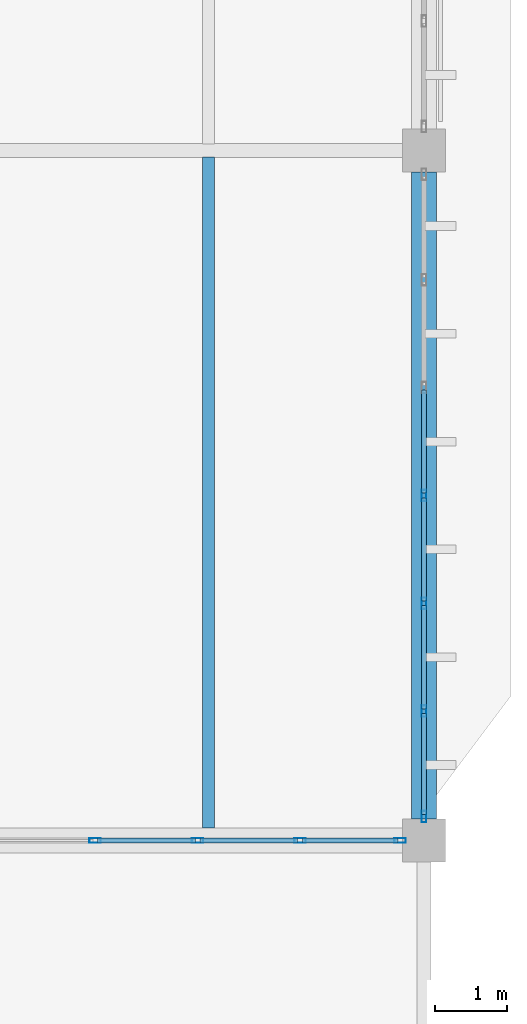
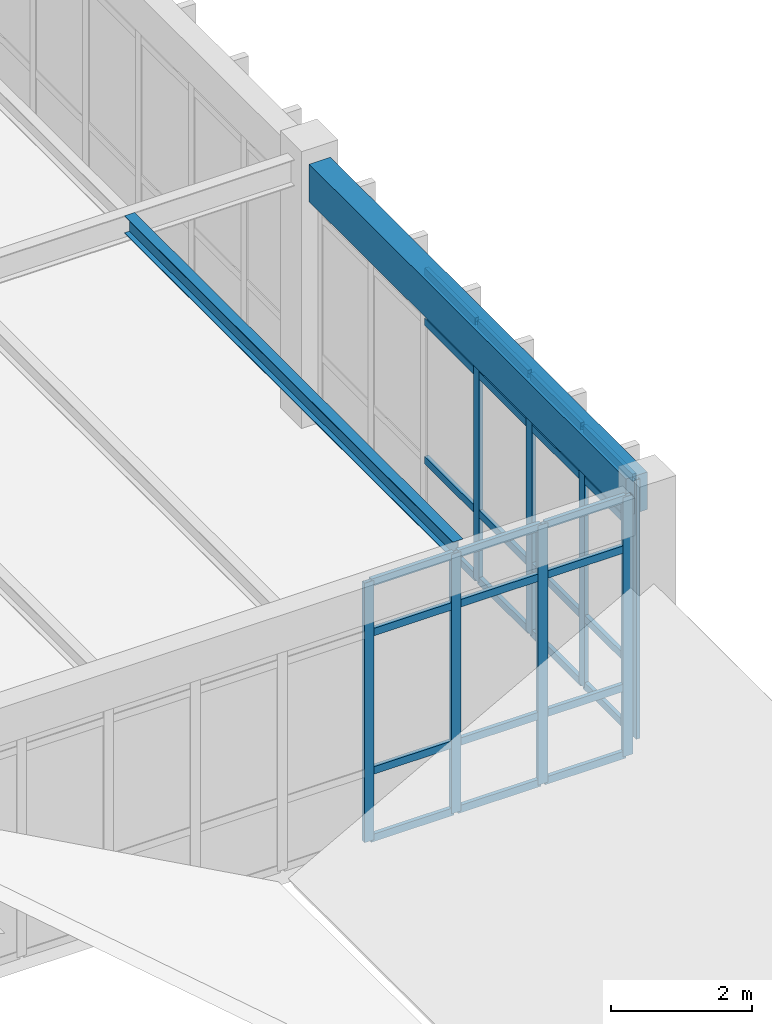
# One storey, part 124 of 236: 36 members, 2 beams, 2 elements without a shape of their own.
"""IFC4 building model written with IfcOpenShell, lengths in metres."""

from ifc_helpers import new_model, si_unit, direction, frame, origin, origin_2d, place, context, subcontext, project, spatial, rectangle, hollow_rectangle, i_section, extrude, material, layer, layer_set, material_profile, profile_set, type_object, element, aggregate, save


model = new_model("IFC4")

# Units and contexts
model_context = context("Model", 3, precision=1e-05, world=origin(), true_north=direction((0.0, 1.0)))
body_context = subcontext(model_context, "Body", "Model", "MODEL_VIEW")
ifc_project = project(units=[si_unit("LENGTHUNIT", "METRE"), si_unit("AREAUNIT", "SQUARE_METRE"), si_unit("VOLUMEUNIT", "CUBIC_METRE"), si_unit("PLANEANGLEUNIT", "RADIAN"), si_unit("MASSUNIT", "GRAM", prefix="KILO")], contexts=[model_context])

# Site, building, storey
site_placement = place(None, origin())
site = spatial("IfcSite", under=ifc_project, at=site_placement, CompositionType="ELEMENT")
building_placement = place(site_placement, origin())
building = spatial("IfcBuilding", under=site, at=building_placement, Name="Pandanus Reach Market Hall", CompositionType="ELEMENT")
storey_placement = place(building_placement, frame((0.0, 0.0, 5.39990234375)))
storey = spatial("IfcBuildingStorey", under=building, at=storey_placement, Name="L01", CompositionType="ELEMENT", Elevation=5.39990234375)

# Beam
ifc_material_1 = material(Name="Concrete N40 (40 MPa)", Category="concrete")
ifc_material_profile_1 = material_profile(ifc_material_1, rectangle(XDim=0.35009765625, YDim=0.64990234375, at=origin_2d()), Name="RC350x650", Category="LoadBearing")
ifc_profile_set_1 = profile_set([ifc_material_profile_1], Name="Concrete N40 (40 MPa)")
beam_type_1 = type_object("IfcBeamType", Name="BM-RC350-E", PredefinedType="SPANDREL", material=ifc_profile_set_1)
beam_1_placement = place(storey_placement, frame((180.0, 9.89794921875, 4.215087890625), z_axis=(0.0, 1.0, 0.0), x_axis=(-1.0, 0.0, 0.0)))
element("IfcBeam", 1, at=beam_1_placement, inside=storey, type_object=beam_type_1, Name="Framing beam BM-RC350-E L01.363", PredefinedType="SPANDREL", context=body_context, shape_type="SweptSolid", body=[
    extrude(rectangle(XDim=0.35009765625, YDim=0.64990234375, at=origin_2d()), origin(), (0.0, 0.0, 1.0), 9.004150390625),
])

# Curtain wall, members
ifc_material_2 = material(Name="Bronze anodised aluminium and low-E glass", Category="aluminium")
ifc_layer_1 = layer(ifc_material_2, 0.159912109375, Name="CW-27")
ifc_layer_set_1 = layer_set([ifc_layer_1], Name="Bronze anodised aluminium and low-E glass")
curtain_wall_type_1 = type_object("IfcCurtainWallType", Name="CW-27", PredefinedType="NOTDEFINED", material=ifc_layer_set_1)
curtain_wall_1_placement = place(storey_placement, origin())
curtain_wall_1 = element("IfcCurtainWall", 2, at=curtain_wall_1_placement, inside=storey, type_object=curtain_wall_type_1, Name="Glazed curtain wall CW-27 CW-0084", PredefinedType="NOTDEFINED")
ifc_material_3 = material(Name="Bronze anodised aluminium", Category="aluminium")
ifc_material_profile_2 = material_profile(ifc_material_3, hollow_rectangle(XDim=0.06494140625, YDim=0.159912109375, WallThickness=0.00390625, at=origin_2d()), Name="ALU65x160", Category="LoadBearing")
ifc_profile_set_2 = profile_set([ifc_material_profile_2], Name="Bronze anodised aluminium")
member_type_1 = type_object("IfcMemberType", Name="CW-M1", PredefinedType="MULLION", material=ifc_profile_set_2)
member_1_placement = place(storey_placement, frame((175.425048828125, 9.60009765625, 0.0), z_axis=(0.0, 0.0, 1.0), x_axis=(0.0, 1.0, 0.0)))
member_1 = element("IfcMember", 3, at=member_1_placement, type_object=member_type_1, Name="CW-27 mullion 6", PredefinedType="MULLION", context=body_context, shape_type="SweptSolid", body=[
    extrude(hollow_rectangle(XDim=0.06494140625, YDim=0.159912109375, WallThickness=0.00390625, at=origin_2d()), origin(), (0.0, 0.0, 1.0), 4.5),
])
member_2_placement = place(storey_placement, frame((176.85009765625, 9.60009765625, 0.0), z_axis=(0.0, 0.0, 1.0), x_axis=(0.0, 1.0, 0.0)))
member_2 = element("IfcMember", 4, at=member_2_placement, type_object=member_type_1, Name="CW-27 mullion 7", PredefinedType="MULLION", context=body_context, shape_type="SweptSolid", body=[
    extrude(hollow_rectangle(XDim=0.06494140625, YDim=0.159912109375, WallThickness=0.00390625, at=origin_2d()), origin(), (0.0, 0.0, 1.0), 4.5),
])
member_3_placement = place(storey_placement, frame((178.27490234375, 9.60009765625, 0.0), z_axis=(0.0, 0.0, 1.0), x_axis=(0.0, 1.0, 0.0)))
member_3 = element("IfcMember", 5, at=member_3_placement, type_object=member_type_1, Name="CW-27 mullion 8", PredefinedType="MULLION", context=body_context, shape_type="SweptSolid", body=[
    extrude(hollow_rectangle(XDim=0.06494140625, YDim=0.159912109375, WallThickness=0.00390625, at=origin_2d()), origin(), (0.0, 0.0, 1.0), 4.5),
])
member_4_placement = place(storey_placement, frame((179.66748046875, 9.60009765625, 0.0), z_axis=(0.0, 0.0, 1.0), x_axis=(0.0, 1.0, 0.0)))
member_4 = element("IfcMember", 6, at=member_4_placement, type_object=member_type_1, Name="CW-27 mullion 9", PredefinedType="MULLION", context=body_context, shape_type="SweptSolid", body=[
    extrude(hollow_rectangle(XDim=0.06494140625, YDim=0.159912109375, WallThickness=0.00390625, at=origin_2d()), origin(), (0.0, 0.0, 1.0), 4.5),
])

ifc_layer_2 = layer(ifc_material_2, 0.159912109375, Name="CW-28")
ifc_layer_set_2 = layer_set([ifc_layer_2], Name="Bronze anodised aluminium and low-E glass")
curtain_wall_type_2 = type_object("IfcCurtainWallType", Name="CW-28", PredefinedType="NOTDEFINED", material=ifc_layer_set_2)
curtain_wall_2_placement = place(storey_placement, origin())
curtain_wall_2 = element("IfcCurtainWall", 7, at=curtain_wall_2_placement, inside=storey, type_object=curtain_wall_type_2, Name="Glazed curtain wall CW-28 CW-0085", PredefinedType="NOTDEFINED")
member_5_placement = place(storey_placement, frame((180.0, 9.9326171875, 0.0), z_axis=(0.0, 0.0, 1.0), x_axis=(-1.0, 0.0, 0.0)))
member_5 = element("IfcMember", 8, at=member_5_placement, type_object=member_type_1, Name="CW-28 mullion 1", PredefinedType="MULLION", context=body_context, shape_type="SweptSolid", body=[
    extrude(hollow_rectangle(XDim=0.06494140625, YDim=0.159912109375, WallThickness=0.00390625, at=origin_2d()), origin(), (0.0, 0.0, 1.0), 4.5),
])
member_6_placement = place(storey_placement, frame((180.0, 11.39990234375, 0.0), z_axis=(0.0, 0.0, 1.0), x_axis=(-1.0, 0.0, 0.0)))
member_6 = element("IfcMember", 9, at=member_6_placement, type_object=member_type_1, Name="CW-28 mullion 2", PredefinedType="MULLION", context=body_context, shape_type="SweptSolid", body=[
    extrude(hollow_rectangle(XDim=0.06494140625, YDim=0.159912109375, WallThickness=0.00390625, at=origin_2d()), origin(), (0.0, 0.0, 1.0), 4.5),
])
member_7_placement = place(storey_placement, frame((180.0, 12.89990234375, 0.0), z_axis=(0.0, 0.0, 1.0), x_axis=(-1.0, 0.0, 0.0)))
member_7 = element("IfcMember", 10, at=member_7_placement, type_object=member_type_1, Name="CW-28 mullion 3", PredefinedType="MULLION", context=body_context, shape_type="SweptSolid", body=[
    extrude(hollow_rectangle(XDim=0.06494140625, YDim=0.159912109375, WallThickness=0.00390625, at=origin_2d()), origin(), (0.0, 0.0, 1.0), 4.5),
])
member_8_placement = place(storey_placement, frame((180.0, 14.39990234375, 0.0), z_axis=(0.0, 0.0, 1.0), x_axis=(-1.0, 0.0, 0.0)))
member_8 = element("IfcMember", 11, at=member_8_placement, type_object=member_type_1, Name="CW-28 mullion 4", PredefinedType="MULLION", context=body_context, shape_type="SweptSolid", body=[
    extrude(hollow_rectangle(XDim=0.06494140625, YDim=0.159912109375, WallThickness=0.00390625, at=origin_2d()), origin(), (0.0, 0.0, 1.0), 4.5),
])

# Member
ifc_material_profile_3 = material_profile(ifc_material_3, hollow_rectangle(XDim=0.06494140625, YDim=0.1298828125, WallThickness=0.00390625, at=origin_2d()), Name="ALU65x130", Category="LoadBearing")
ifc_profile_set_3 = profile_set([ifc_material_profile_3], Name="Bronze anodised aluminium")
member_type_2 = type_object("IfcMemberType", Name="CW-T1", PredefinedType="USERDEFINED", material=ifc_profile_set_3)
member_9_placement = place(storey_placement, frame((175.45751953125, 9.60009765625, 0.03271484375), z_axis=(1.0, 0.0, 0.0), x_axis=(0.0, 1.0, 0.0)))
member_9 = element("IfcMember", 12, at=member_9_placement, type_object=member_type_2, Name="CW-27 transom 6.1", ObjectType="TRANSOM", PredefinedType="USERDEFINED", context=body_context, shape_type="SweptSolid", body=[
    extrude(hollow_rectangle(XDim=0.06494140625, YDim=0.1298828125, WallThickness=0.00390625, at=origin_2d()), origin(), (0.0, 0.0, 1.0), 1.35986328125),
])

member_10_placement = place(storey_placement, frame((175.45751953125, 9.60009765625, 1.2001953125), z_axis=(1.0, 0.0, 0.0), x_axis=(0.0, 1.0, 0.0)))
member_10 = element("IfcMember", 13, at=member_10_placement, type_object=member_type_2, Name="CW-27 transom 6.2", ObjectType="TRANSOM", PredefinedType="USERDEFINED", context=body_context, shape_type="SweptSolid", body=[
    extrude(hollow_rectangle(XDim=0.06494140625, YDim=0.1298828125, WallThickness=0.00390625, at=origin_2d()), origin(), (0.0, 0.0, 1.0), 1.35986328125),
])

member_11_placement = place(storey_placement, frame((175.45751953125, 9.60009765625, 3.60009765625), z_axis=(1.0, 0.0, 0.0), x_axis=(0.0, 1.0, 0.0)))
member_11 = element("IfcMember", 14, at=member_11_placement, type_object=member_type_2, Name="CW-27 transom 6.3", ObjectType="TRANSOM", PredefinedType="USERDEFINED", context=body_context, shape_type="SweptSolid", body=[
    extrude(hollow_rectangle(XDim=0.06494140625, YDim=0.1298828125, WallThickness=0.00390625, at=origin_2d()), origin(), (0.0, 0.0, 1.0), 1.35986328125),
])

member_12_placement = place(storey_placement, frame((175.45751953125, 9.60009765625, 4.467529296875), z_axis=(1.0, 0.0, 0.0), x_axis=(0.0, 1.0, 0.0)))
member_12 = element("IfcMember", 15, at=member_12_placement, type_object=member_type_2, Name="CW-27 transom 6.4", ObjectType="TRANSOM", PredefinedType="USERDEFINED", context=body_context, shape_type="SweptSolid", body=[
    extrude(hollow_rectangle(XDim=0.06494140625, YDim=0.1298828125, WallThickness=0.00390625, at=origin_2d()), origin(), (0.0, 0.0, 1.0), 1.35986328125),
])

member_13_placement = place(storey_placement, frame((176.882568359375, 9.60009765625, 0.03271484375), z_axis=(1.0, 0.0, 0.0), x_axis=(0.0, 1.0, 0.0)))
member_13 = element("IfcMember", 16, at=member_13_placement, type_object=member_type_2, Name="CW-27 transom 7.1", ObjectType="TRANSOM", PredefinedType="USERDEFINED", context=body_context, shape_type="SweptSolid", body=[
    extrude(hollow_rectangle(XDim=0.06494140625, YDim=0.1298828125, WallThickness=0.00390625, at=origin_2d()), origin(), (0.0, 0.0, 1.0), 1.35986328125),
])

member_14_placement = place(storey_placement, frame((176.882568359375, 9.60009765625, 1.2001953125), z_axis=(1.0, 0.0, 0.0), x_axis=(0.0, 1.0, 0.0)))
member_14 = element("IfcMember", 17, at=member_14_placement, type_object=member_type_2, Name="CW-27 transom 7.2", ObjectType="TRANSOM", PredefinedType="USERDEFINED", context=body_context, shape_type="SweptSolid", body=[
    extrude(hollow_rectangle(XDim=0.06494140625, YDim=0.1298828125, WallThickness=0.00390625, at=origin_2d()), origin(), (0.0, 0.0, 1.0), 1.35986328125),
])

member_15_placement = place(storey_placement, frame((176.882568359375, 9.60009765625, 3.60009765625), z_axis=(1.0, 0.0, 0.0), x_axis=(0.0, 1.0, 0.0)))
member_15 = element("IfcMember", 18, at=member_15_placement, type_object=member_type_2, Name="CW-27 transom 7.3", ObjectType="TRANSOM", PredefinedType="USERDEFINED", context=body_context, shape_type="SweptSolid", body=[
    extrude(hollow_rectangle(XDim=0.06494140625, YDim=0.1298828125, WallThickness=0.00390625, at=origin_2d()), origin(), (0.0, 0.0, 1.0), 1.35986328125),
])

member_16_placement = place(storey_placement, frame((176.882568359375, 9.60009765625, 4.467529296875), z_axis=(1.0, 0.0, 0.0), x_axis=(0.0, 1.0, 0.0)))
member_16 = element("IfcMember", 19, at=member_16_placement, type_object=member_type_2, Name="CW-27 transom 7.4", ObjectType="TRANSOM", PredefinedType="USERDEFINED", context=body_context, shape_type="SweptSolid", body=[
    extrude(hollow_rectangle(XDim=0.06494140625, YDim=0.1298828125, WallThickness=0.00390625, at=origin_2d()), origin(), (0.0, 0.0, 1.0), 1.35986328125),
])

member_17_placement = place(storey_placement, frame((178.3076171875, 9.60009765625, 0.03271484375), z_axis=(1.0, 0.0, 0.0), x_axis=(0.0, 1.0, 0.0)))
member_17 = element("IfcMember", 20, at=member_17_placement, type_object=member_type_2, Name="CW-27 transom 8.1", ObjectType="TRANSOM", PredefinedType="USERDEFINED", context=body_context, shape_type="SweptSolid", body=[
    extrude(hollow_rectangle(XDim=0.06494140625, YDim=0.1298828125, WallThickness=0.00390625, at=origin_2d()), origin(), (0.0, 0.0, 1.0), 1.327392578125),
])

member_18_placement = place(storey_placement, frame((178.3076171875, 9.60009765625, 1.2001953125), z_axis=(1.0, 0.0, 0.0), x_axis=(0.0, 1.0, 0.0)))
member_18 = element("IfcMember", 21, at=member_18_placement, type_object=member_type_2, Name="CW-27 transom 8.2", ObjectType="TRANSOM", PredefinedType="USERDEFINED", context=body_context, shape_type="SweptSolid", body=[
    extrude(hollow_rectangle(XDim=0.06494140625, YDim=0.1298828125, WallThickness=0.00390625, at=origin_2d()), origin(), (0.0, 0.0, 1.0), 1.327392578125),
])

member_19_placement = place(storey_placement, frame((178.3076171875, 9.60009765625, 3.60009765625), z_axis=(1.0, 0.0, 0.0), x_axis=(0.0, 1.0, 0.0)))
member_19 = element("IfcMember", 22, at=member_19_placement, type_object=member_type_2, Name="CW-27 transom 8.3", ObjectType="TRANSOM", PredefinedType="USERDEFINED", context=body_context, shape_type="SweptSolid", body=[
    extrude(hollow_rectangle(XDim=0.06494140625, YDim=0.1298828125, WallThickness=0.00390625, at=origin_2d()), origin(), (0.0, 0.0, 1.0), 1.327392578125),
])

member_20_placement = place(storey_placement, frame((178.3076171875, 9.60009765625, 4.467529296875), z_axis=(1.0, 0.0, 0.0), x_axis=(0.0, 1.0, 0.0)))
member_20 = element("IfcMember", 23, at=member_20_placement, type_object=member_type_2, Name="CW-27 transom 8.4", ObjectType="TRANSOM", PredefinedType="USERDEFINED", context=body_context, shape_type="SweptSolid", body=[
    extrude(hollow_rectangle(XDim=0.06494140625, YDim=0.1298828125, WallThickness=0.00390625, at=origin_2d()), origin(), (0.0, 0.0, 1.0), 1.327392578125),
])

aggregate(curtain_wall_1, [member_1, member_2, member_3, member_4, member_9, member_10, member_11, member_12, member_13, member_14, member_15, member_16, member_17, member_18, member_19, member_20])

member_21_placement = place(storey_placement, frame((180.0, 9.965087890625, 0.03271484375), z_axis=(0.0, 1.0, 0.0), x_axis=(-1.0, 0.0, 0.0)))
member_21 = element("IfcMember", 24, at=member_21_placement, type_object=member_type_2, Name="CW-28 transom 1.1", ObjectType="TRANSOM", PredefinedType="USERDEFINED", context=body_context, shape_type="SweptSolid", body=[
    extrude(hollow_rectangle(XDim=0.06494140625, YDim=0.1298828125, WallThickness=0.00390625, at=origin_2d()), origin(), (0.0, 0.0, 1.0), 1.40234375),
])

member_22_placement = place(storey_placement, frame((180.0, 9.965087890625, 1.2001953125), z_axis=(0.0, 1.0, 0.0), x_axis=(-1.0, 0.0, 0.0)))
member_22 = element("IfcMember", 25, at=member_22_placement, type_object=member_type_2, Name="CW-28 transom 1.2", ObjectType="TRANSOM", PredefinedType="USERDEFINED", context=body_context, shape_type="SweptSolid", body=[
    extrude(hollow_rectangle(XDim=0.06494140625, YDim=0.1298828125, WallThickness=0.00390625, at=origin_2d()), origin(), (0.0, 0.0, 1.0), 1.40234375),
])

member_23_placement = place(storey_placement, frame((180.0, 9.965087890625, 3.60009765625), z_axis=(0.0, 1.0, 0.0), x_axis=(-1.0, 0.0, 0.0)))
member_23 = element("IfcMember", 26, at=member_23_placement, type_object=member_type_2, Name="CW-28 transom 1.3", ObjectType="TRANSOM", PredefinedType="USERDEFINED", context=body_context, shape_type="SweptSolid", body=[
    extrude(hollow_rectangle(XDim=0.06494140625, YDim=0.1298828125, WallThickness=0.00390625, at=origin_2d()), origin(), (0.0, 0.0, 1.0), 1.40234375),
])

member_24_placement = place(storey_placement, frame((180.0, 9.965087890625, 4.467529296875), z_axis=(0.0, 1.0, 0.0), x_axis=(-1.0, 0.0, 0.0)))
member_24 = element("IfcMember", 27, at=member_24_placement, type_object=member_type_2, Name="CW-28 transom 1.4", ObjectType="TRANSOM", PredefinedType="USERDEFINED", context=body_context, shape_type="SweptSolid", body=[
    extrude(hollow_rectangle(XDim=0.06494140625, YDim=0.1298828125, WallThickness=0.00390625, at=origin_2d()), origin(), (0.0, 0.0, 1.0), 1.40234375),
])

member_25_placement = place(storey_placement, frame((180.0, 11.4326171875, 0.03271484375), z_axis=(0.0, 1.0, 0.0), x_axis=(-1.0, 0.0, 0.0)))
member_25 = element("IfcMember", 28, at=member_25_placement, type_object=member_type_2, Name="CW-28 transom 2.1", ObjectType="TRANSOM", PredefinedType="USERDEFINED", context=body_context, shape_type="SweptSolid", body=[
    extrude(hollow_rectangle(XDim=0.06494140625, YDim=0.1298828125, WallThickness=0.00390625, at=origin_2d()), origin(), (0.0, 0.0, 1.0), 1.434814453125),
])

member_26_placement = place(storey_placement, frame((180.0, 11.4326171875, 1.2001953125), z_axis=(0.0, 1.0, 0.0), x_axis=(-1.0, 0.0, 0.0)))
member_26 = element("IfcMember", 29, at=member_26_placement, type_object=member_type_2, Name="CW-28 transom 2.2", ObjectType="TRANSOM", PredefinedType="USERDEFINED", context=body_context, shape_type="SweptSolid", body=[
    extrude(hollow_rectangle(XDim=0.06494140625, YDim=0.1298828125, WallThickness=0.00390625, at=origin_2d()), origin(), (0.0, 0.0, 1.0), 1.434814453125),
])

member_27_placement = place(storey_placement, frame((180.0, 11.4326171875, 3.60009765625), z_axis=(0.0, 1.0, 0.0), x_axis=(-1.0, 0.0, 0.0)))
member_27 = element("IfcMember", 30, at=member_27_placement, type_object=member_type_2, Name="CW-28 transom 2.3", ObjectType="TRANSOM", PredefinedType="USERDEFINED", context=body_context, shape_type="SweptSolid", body=[
    extrude(hollow_rectangle(XDim=0.06494140625, YDim=0.1298828125, WallThickness=0.00390625, at=origin_2d()), origin(), (0.0, 0.0, 1.0), 1.434814453125),
])

member_28_placement = place(storey_placement, frame((180.0, 11.4326171875, 4.467529296875), z_axis=(0.0, 1.0, 0.0), x_axis=(-1.0, 0.0, 0.0)))
member_28 = element("IfcMember", 31, at=member_28_placement, type_object=member_type_2, Name="CW-28 transom 2.4", ObjectType="TRANSOM", PredefinedType="USERDEFINED", context=body_context, shape_type="SweptSolid", body=[
    extrude(hollow_rectangle(XDim=0.06494140625, YDim=0.1298828125, WallThickness=0.00390625, at=origin_2d()), origin(), (0.0, 0.0, 1.0), 1.434814453125),
])

member_29_placement = place(storey_placement, frame((180.0, 12.9326171875, 0.03271484375), z_axis=(0.0, 1.0, 0.0), x_axis=(-1.0, 0.0, 0.0)))
member_29 = element("IfcMember", 32, at=member_29_placement, type_object=member_type_2, Name="CW-28 transom 3.1", ObjectType="TRANSOM", PredefinedType="USERDEFINED", context=body_context, shape_type="SweptSolid", body=[
    extrude(hollow_rectangle(XDim=0.06494140625, YDim=0.1298828125, WallThickness=0.00390625, at=origin_2d()), origin(), (0.0, 0.0, 1.0), 1.434814453125),
])

member_30_placement = place(storey_placement, frame((180.0, 12.9326171875, 1.2001953125), z_axis=(0.0, 1.0, 0.0), x_axis=(-1.0, 0.0, 0.0)))
member_30 = element("IfcMember", 33, at=member_30_placement, type_object=member_type_2, Name="CW-28 transom 3.2", ObjectType="TRANSOM", PredefinedType="USERDEFINED", context=body_context, shape_type="SweptSolid", body=[
    extrude(hollow_rectangle(XDim=0.06494140625, YDim=0.1298828125, WallThickness=0.00390625, at=origin_2d()), origin(), (0.0, 0.0, 1.0), 1.434814453125),
])

member_31_placement = place(storey_placement, frame((180.0, 12.9326171875, 3.60009765625), z_axis=(0.0, 1.0, 0.0), x_axis=(-1.0, 0.0, 0.0)))
member_31 = element("IfcMember", 34, at=member_31_placement, type_object=member_type_2, Name="CW-28 transom 3.3", ObjectType="TRANSOM", PredefinedType="USERDEFINED", context=body_context, shape_type="SweptSolid", body=[
    extrude(hollow_rectangle(XDim=0.06494140625, YDim=0.1298828125, WallThickness=0.00390625, at=origin_2d()), origin(), (0.0, 0.0, 1.0), 1.434814453125),
])

member_32_placement = place(storey_placement, frame((180.0, 12.9326171875, 4.467529296875), z_axis=(0.0, 1.0, 0.0), x_axis=(-1.0, 0.0, 0.0)))
member_32 = element("IfcMember", 35, at=member_32_placement, type_object=member_type_2, Name="CW-28 transom 3.4", ObjectType="TRANSOM", PredefinedType="USERDEFINED", context=body_context, shape_type="SweptSolid", body=[
    extrude(hollow_rectangle(XDim=0.06494140625, YDim=0.1298828125, WallThickness=0.00390625, at=origin_2d()), origin(), (0.0, 0.0, 1.0), 1.434814453125),
])

member_33_placement = place(storey_placement, frame((180.0, 14.4326171875, 0.03271484375), z_axis=(0.0, 1.0, 0.0), x_axis=(-1.0, 0.0, 0.0)))
member_33 = element("IfcMember", 36, at=member_33_placement, type_object=member_type_2, Name="CW-28 transom 4.1", ObjectType="TRANSOM", PredefinedType="USERDEFINED", context=body_context, shape_type="SweptSolid", body=[
    extrude(hollow_rectangle(XDim=0.06494140625, YDim=0.1298828125, WallThickness=0.00390625, at=origin_2d()), origin(), (0.0, 0.0, 1.0), 1.434814453125),
])

member_34_placement = place(storey_placement, frame((180.0, 14.4326171875, 1.2001953125), z_axis=(0.0, 1.0, 0.0), x_axis=(-1.0, 0.0, 0.0)))
member_34 = element("IfcMember", 37, at=member_34_placement, type_object=member_type_2, Name="CW-28 transom 4.2", ObjectType="TRANSOM", PredefinedType="USERDEFINED", context=body_context, shape_type="SweptSolid", body=[
    extrude(hollow_rectangle(XDim=0.06494140625, YDim=0.1298828125, WallThickness=0.00390625, at=origin_2d()), origin(), (0.0, 0.0, 1.0), 1.434814453125),
])

member_35_placement = place(storey_placement, frame((180.0, 14.4326171875, 3.60009765625), z_axis=(0.0, 1.0, 0.0), x_axis=(-1.0, 0.0, 0.0)))
member_35 = element("IfcMember", 38, at=member_35_placement, type_object=member_type_2, Name="CW-28 transom 4.3", ObjectType="TRANSOM", PredefinedType="USERDEFINED", context=body_context, shape_type="SweptSolid", body=[
    extrude(hollow_rectangle(XDim=0.06494140625, YDim=0.1298828125, WallThickness=0.00390625, at=origin_2d()), origin(), (0.0, 0.0, 1.0), 1.434814453125),
])

member_36_placement = place(storey_placement, frame((180.0, 14.4326171875, 4.467529296875), z_axis=(0.0, 1.0, 0.0), x_axis=(-1.0, 0.0, 0.0)))
member_36 = element("IfcMember", 39, at=member_36_placement, type_object=member_type_2, Name="CW-28 transom 4.4", ObjectType="TRANSOM", PredefinedType="USERDEFINED", context=body_context, shape_type="SweptSolid", body=[
    extrude(hollow_rectangle(XDim=0.06494140625, YDim=0.1298828125, WallThickness=0.00390625, at=origin_2d()), origin(), (0.0, 0.0, 1.0), 1.434814453125),
])

aggregate(curtain_wall_2, [member_5, member_6, member_7, member_8, member_21, member_22, member_23, member_24, member_25, member_26, member_27, member_28, member_29, member_30, member_31, member_32, member_33, member_34, member_35, member_36])

# Beam
ifc_material_4 = material(Name="Steel Grade 350 (350 MPa)", Category="steel")
ifc_material_profile_4 = material_profile(ifc_material_4, i_section(OverallWidth=0.166015625, OverallDepth=0.306884765625, WebThickness=0.006591796875, FlangeThickness=0.01171875, at=origin_2d()), Name="310UB46.2", Category="LoadBearing")
ifc_profile_set_4 = profile_set([ifc_material_profile_4], Name="Steel Grade 350 (350 MPa)")
beam_type_2 = type_object("IfcBeamType", Name="JS-UB310H-I", PredefinedType="JOIST", material=ifc_profile_set_4)
beam_2_placement = place(storey_placement, frame((177.0, 9.77294921875, 4.38623046875), z_axis=(0.0, 1.0, 0.0), x_axis=(-1.0, 0.0, 0.0)))
element("IfcBeam", 40, at=beam_2_placement, inside=storey, type_object=beam_type_2, Name="Secondary joist JS-UB310H-I L01.418", PredefinedType="JOIST", context=body_context, shape_type="SweptSolid", body=[
    extrude(i_section(OverallWidth=0.166015625, OverallDepth=0.306884765625, WebThickness=0.006591796875, FlangeThickness=0.01171875, at=origin_2d()), origin(), (0.0, 0.0, 1.0), 9.333984375),
])

save(model, "model.ifc")
